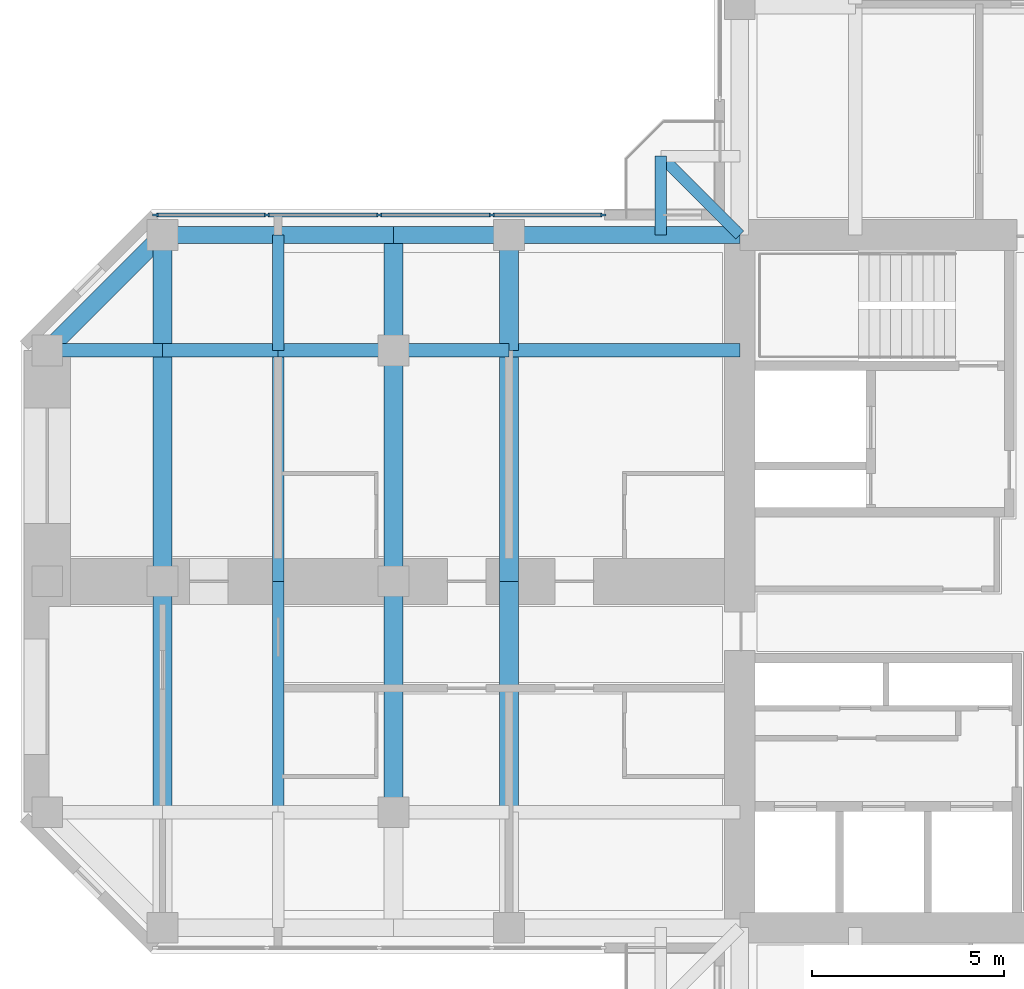
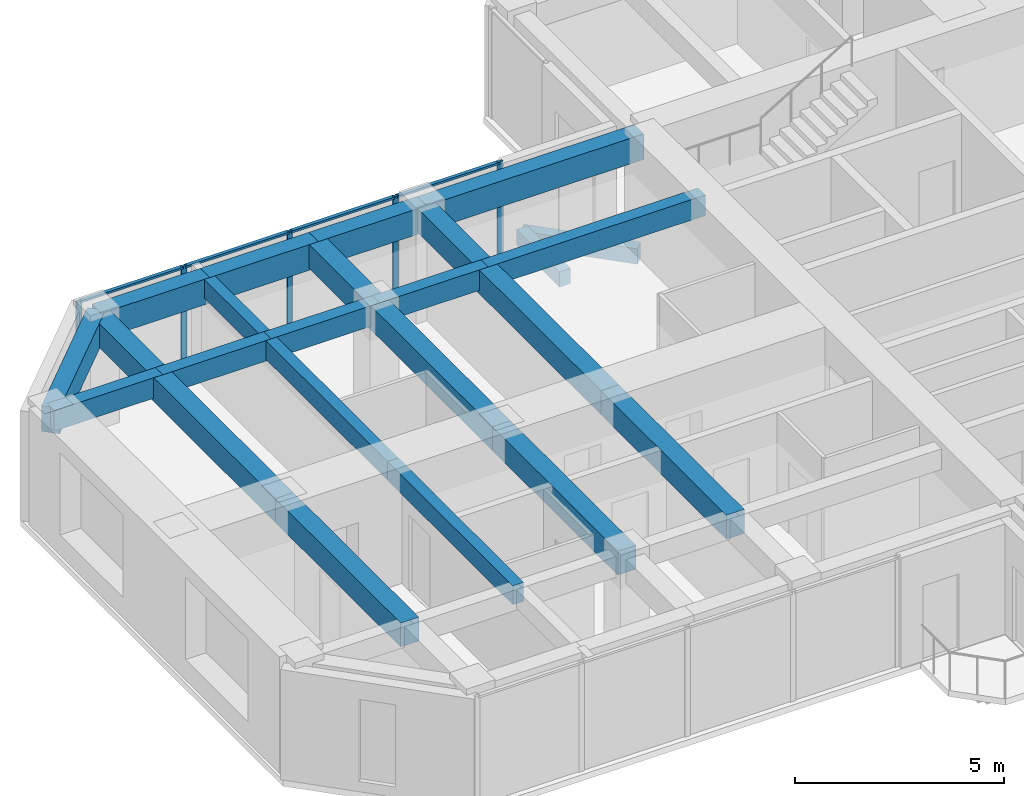
# One storey, part 4 of 14: 24 beams, 9 members, 1 element without a shape of its own.
"""IFC4 building model written with IfcOpenShell, lengths in metres."""

from ifc_helpers import new_model, si_unit, direction, frame, origin, origin_2d, place, context, subcontext, project, spatial, rectangle, extrude, material, material_profile, profile_set, type_object, element, aggregate, save


model = new_model("IFC4")

# Units and contexts
model_context = context("Model", 3, precision=1e-05, world=origin(), true_north=direction((0.0, 1.0)))
body_context = subcontext(model_context, "Body", "Model", "MODEL_VIEW")
ifc_project = project(units=[si_unit("LENGTHUNIT", "METRE"), si_unit("AREAUNIT", "SQUARE_METRE"), si_unit("VOLUMEUNIT", "CUBIC_METRE"), si_unit("PLANEANGLEUNIT", "RADIAN"), si_unit("MASSUNIT", "GRAM", prefix="KILO")], contexts=[model_context])

# Site, building, storey
site_placement = place(None, origin())
site = spatial("IfcSite", under=ifc_project, at=site_placement, CompositionType="ELEMENT")
building_placement = place(site_placement, origin())
building = spatial("IfcBuilding", under=site, at=building_placement, Name="Torre Cruceta", CompositionType="ELEMENT")
storey_placement = place(building_placement, frame((0.0, 0.0, 222.10009765625)))
storey = spatial("IfcBuildingStorey", under=building, at=storey_placement, Name="L56", CompositionType="ELEMENT", Elevation=222.10009765625)

# Beams
ifc_material_1 = material(Name="Concrete G60 (fck 60 MPa)", Category="concrete")
ifc_material_profile_1 = material_profile(ifc_material_1, rectangle(XDim=0.300048828125, YDim=0.449951171875, at=origin_2d()), Name="RC 300X450")
ifc_profile_set_1 = profile_set([ifc_material_profile_1], Name="Concrete G60 (fck 60 MPa)")
beam_type_1 = type_object("IfcBeamType", Name="BALCONY CANTILEVER BEAM RC 300X450", PredefinedType="BEAM", material=ifc_profile_set_1)
beam_1_placement = place(storey_placement, frame((-9.0, 9.0, -0.405029296875), z_axis=(-0.707106781187, 0.707106781187, 0.0), x_axis=(-0.707106781187, -0.707106781187, 0.0)))
element("IfcBeam", 1, at=beam_1_placement, inside=storey, type_object=beam_type_1, Name="BB1 balcony beam L56 N", PredefinedType="BEAM", context=body_context, shape_type="SweptSolid", body=[
    extrude(rectangle(XDim=0.300048828125, YDim=0.449951171875, at=origin_2d()), origin(), (0.0, 0.0, 1.0), 2.89990234375),
])
beam_2_placement = place(storey_placement, frame((-11.050537109375, 9.0, -0.405029296875), z_axis=(0.0, 1.0, 0.0), x_axis=(-1.0, 0.0, 0.0)))
element("IfcBeam", 2, at=beam_2_placement, inside=storey, type_object=beam_type_1, Name="BB1 balcony edge beam L56 N-X", PredefinedType="BEAM", context=body_context, shape_type="SweptSolid", body=[
    extrude(rectangle(XDim=0.300048828125, YDim=0.449951171875, at=origin_2d()), origin(), (0.0, 0.0, 1.0), 2.050537109375),
])
ifc_material_2 = material(Name="Concrete G60 (fck 60 MPa)", Category="concrete")
ifc_material_profile_2 = material_profile(ifc_material_2, rectangle(XDim=0.35009765625, YDim=0.60009765625, at=origin_2d()), Name="RC 350X600")
ifc_profile_set_2 = profile_set([ifc_material_profile_2], Name="Concrete G60 (fck 60 MPa)")
beam_type_2 = type_object("IfcBeamType", Name="COLUMN LINE BEAM RC 350X600", PredefinedType="BEAM", material=ifc_profile_set_2)
beam_3_placement = place(storey_placement, frame((-9.0, 6.0, 2.919921875), z_axis=(-1.0, 0.0, 0.0), x_axis=(0.0, -1.0, 0.0)))
element("IfcBeam", 3, at=beam_3_placement, inside=storey, type_object=beam_type_2, Name="LB9 L56 W col- 1", PredefinedType="BEAM", context=body_context, shape_type="SweptSolid", body=[
    extrude(rectangle(XDim=0.35009765625, YDim=0.60009765625, at=origin_2d()), origin(), (0.0, 0.0, 1.0), 6.0),
])
for number, where, z_axis, x_axis, name in (
    (4, (-15.0, 6.0, 2.919921875), (-1.0, 0.0, 0.0), (0.0, -1.0, 0.0), "LB9 L56 W col- 2"),
    (5, (-18.0, 6.0, 2.919921875), (-1.0, 0.0, 0.0), (0.0, -1.0, 0.0), "LB9 L56 W col- 3"),
    (6, (-21.0, 6.0, 2.919921875), (-1.0, 0.0, 0.0), (0.0, -1.0, 0.0), "LB9 L56 W col- 4"),
    (7, (-24.0, 6.0, 2.919921875), (-1.0, 0.0, 0.0), (0.0, -1.0, 0.0), "LB9 L56 W col- 5"),
):
    element("IfcBeam", number, at=place(storey_placement, frame(where, z_axis=z_axis, x_axis=x_axis)), inside=storey, type_object=beam_type_2, Name=name, PredefinedType="BEAM", context=body_context, shape_type="SweptSolid", body=[
        extrude(rectangle(XDim=0.35009765625, YDim=0.60009765625, at=origin_2d()), origin(), (0.0, 0.0, 1.0), 3.0),
    ])
ifc_material_3 = material(Name="Concrete G60 (fck 60 MPa)", Category="concrete")
ifc_material_profile_3 = material_profile(ifc_material_3, rectangle(XDim=0.5, YDim=0.699951171875, at=origin_2d()), Name="RC 500X700")
ifc_profile_set_3 = profile_set([ifc_material_profile_3], Name="Concrete G60 (fck 60 MPa)")
beam_type_3 = type_object("IfcBeamType", Name="CROSS BEAM RC 500X700", PredefinedType="BEAM", material=ifc_profile_set_3)
beam_4_placement = place(storey_placement, frame((-15.0, 9.0, 2.869873046875), z_axis=(0.0, -1.0, 0.0), x_axis=(1.0, 0.0, 0.0)))
element("IfcBeam", 8, at=beam_4_placement, inside=storey, type_object=beam_type_3, Name="GB7 L56 W cross15 1", PredefinedType="BEAM", context=body_context, shape_type="SweptSolid", body=[
    extrude(rectangle(XDim=0.5, YDim=0.699951171875, at=origin_2d()), origin(), (0.0, 0.0, 1.0), 3.0),
])
for number, where, z_axis, x_axis, name in (
    (9, (-15.0, 6.0, 2.869873046875), (0.0, -1.0, 0.0), (1.0, 0.0, 0.0), "GB7 L56 W cross15 2"),
    (10, (-15.0, 0.0, 2.869873046875), (0.0, -1.0, 0.0), (1.0, 0.0, 0.0), "GB7 L56 W cross15 3"),
):
    element("IfcBeam", number, at=place(storey_placement, frame(where, z_axis=z_axis, x_axis=x_axis)), inside=storey, type_object=beam_type_3, Name=name, PredefinedType="BEAM", context=body_context, shape_type="SweptSolid", body=[
        extrude(rectangle(XDim=0.5, YDim=0.699951171875, at=origin_2d()), origin(), (0.0, 0.0, 1.0), 6.0),
    ])
beam_5_placement = place(storey_placement, frame((-18.0, 9.0, 2.869873046875), z_axis=(0.0, -1.0, 0.0), x_axis=(1.0, 0.0, 0.0)))
element("IfcBeam", 11, at=beam_5_placement, inside=storey, type_object=beam_type_3, Name="GB7 L56 W cross18 1", PredefinedType="BEAM", context=body_context, shape_type="SweptSolid", body=[
    extrude(rectangle(XDim=0.5, YDim=0.699951171875, at=origin_2d()), origin(), (0.0, 0.0, 1.0), 3.0),
])
for number, where, z_axis, x_axis, name in (
    (12, (-18.0, 6.0, 2.869873046875), (0.0, -1.0, 0.0), (1.0, 0.0, 0.0), "GB7 L56 W cross18 2"),
    (13, (-18.0, 0.0, 2.869873046875), (0.0, -1.0, 0.0), (1.0, 0.0, 0.0), "GB7 L56 W cross18 3"),
):
    element("IfcBeam", number, at=place(storey_placement, frame(where, z_axis=z_axis, x_axis=x_axis)), inside=storey, type_object=beam_type_3, Name=name, PredefinedType="BEAM", context=body_context, shape_type="SweptSolid", body=[
        extrude(rectangle(XDim=0.5, YDim=0.699951171875, at=origin_2d()), origin(), (0.0, 0.0, 1.0), 6.0),
    ])
beam_6_placement = place(storey_placement, frame((-24.0, 9.0, 2.869873046875), z_axis=(0.0, -1.0, 0.0), x_axis=(1.0, 0.0, 0.0)))
element("IfcBeam", 14, at=beam_6_placement, inside=storey, type_object=beam_type_3, Name="GB7 L56 W cross24 1", PredefinedType="BEAM", context=body_context, shape_type="SweptSolid", body=[
    extrude(rectangle(XDim=0.5, YDim=0.699951171875, at=origin_2d()), origin(), (0.0, 0.0, 1.0), 3.0),
])
for number, where, z_axis, x_axis, name in (
    (15, (-24.0, 6.0, 2.869873046875), (0.0, -1.0, 0.0), (1.0, 0.0, 0.0), "GB7 L56 W cross24 2"),
    (16, (-24.0, 0.0, 2.869873046875), (0.0, -1.0, 0.0), (1.0, 0.0, 0.0), "GB7 L56 W cross24 3"),
):
    element("IfcBeam", number, at=place(storey_placement, frame(where, z_axis=z_axis, x_axis=x_axis)), inside=storey, type_object=beam_type_3, Name=name, PredefinedType="BEAM", context=body_context, shape_type="SweptSolid", body=[
        extrude(rectangle(XDim=0.5, YDim=0.699951171875, at=origin_2d()), origin(), (0.0, 0.0, 1.0), 6.0),
    ])

# Curtain wall, members
ifc_material_4 = material(Name="Aluminium unitised curtain wall", Category="aluminium")
curtain_wall_type = type_object("IfcCurtainWallType", Name="CURTAIN WALL CW-D CO-LIVING UPPER", PredefinedType="USERDEFINED", material=ifc_material_4)
curtain_wall_placement = place(storey_placement, origin())
curtain_wall = element("IfcCurtainWall", 17, at=curtain_wall_placement, inside=storey, type_object=curtain_wall_type, Name="CW-D L56 W side 10", ObjectType="UNITISED", PredefinedType="USERDEFINED")
ifc_material_5 = material(Name="Aluminium mullion", Category="aluminium")
ifc_material_profile_4 = material_profile(ifc_material_5, rectangle(XDim=0.06005859375, YDim=0.14990234375, at=origin_2d()), Name="AL 60X150")
ifc_profile_set_4 = profile_set([ifc_material_profile_4], Name="Aluminium mullion")
member_type_1 = type_object("IfcMemberType", Name="CW-D MULLION 60X150", PredefinedType="MULLION", material=ifc_profile_set_4)
member_1_placement = place(storey_placement, frame((-12.550048828125, 9.52001953125, 0.0), z_axis=(0.0, 0.0, 1.0), x_axis=(0.0, -1.0, 0.0)))
member_1 = element("IfcMember", 18, at=member_1_placement, type_object=member_type_1, Name="CW-D mullion 1", PredefinedType="MULLION", context=body_context, shape_type="SweptSolid", body=[
    extrude(rectangle(XDim=0.06005859375, YDim=0.14990234375, at=origin_2d()), origin(), (0.0, 0.0, 1.0), 3.219970703125),
])
member_2_placement = place(storey_placement, frame((-15.44384765625, 9.52001953125, 0.0), z_axis=(0.0, 0.0, 1.0), x_axis=(0.0, -1.0, 0.0)))
member_2 = element("IfcMember", 19, at=member_2_placement, type_object=member_type_1, Name="CW-D mullion 2", PredefinedType="MULLION", context=body_context, shape_type="SweptSolid", body=[
    extrude(rectangle(XDim=0.06005859375, YDim=0.14990234375, at=origin_2d()), origin(), (0.0, 0.0, 1.0), 3.219970703125),
])
member_3_placement = place(storey_placement, frame((-18.36767578125, 9.52001953125, 0.0), z_axis=(0.0, 0.0, 1.0), x_axis=(0.0, -1.0, 0.0)))
member_3 = element("IfcMember", 20, at=member_3_placement, type_object=member_type_1, Name="CW-D mullion 3", PredefinedType="MULLION", context=body_context, shape_type="SweptSolid", body=[
    extrude(rectangle(XDim=0.06005859375, YDim=0.14990234375, at=origin_2d()), origin(), (0.0, 0.0, 1.0), 3.219970703125),
])
member_4_placement = place(storey_placement, frame((-21.29150390625, 9.52001953125, 0.0), z_axis=(0.0, 0.0, 1.0), x_axis=(0.0, -1.0, 0.0)))
member_4 = element("IfcMember", 21, at=member_4_placement, type_object=member_type_1, Name="CW-D mullion 4", PredefinedType="MULLION", context=body_context, shape_type="SweptSolid", body=[
    extrude(rectangle(XDim=0.06005859375, YDim=0.14990234375, at=origin_2d()), origin(), (0.0, 0.0, 1.0), 3.219970703125),
])
member_5_placement = place(storey_placement, frame((-24.185302734375, 9.52001953125, 0.0), z_axis=(0.0, 0.0, 1.0), x_axis=(0.0, -1.0, 0.0)))
member_5 = element("IfcMember", 22, at=member_5_placement, type_object=member_type_1, Name="CW-D mullion 5", PredefinedType="MULLION", context=body_context, shape_type="SweptSolid", body=[
    extrude(rectangle(XDim=0.06005859375, YDim=0.14990234375, at=origin_2d()), origin(), (0.0, 0.0, 1.0), 3.219970703125),
])
ifc_material_6 = material(Name="Aluminium transom", Category="aluminium")
ifc_material_profile_5 = material_profile(ifc_material_6, rectangle(XDim=0.10009765625, YDim=0.06005859375, at=origin_2d()), Name="AL 100X60")
ifc_profile_set_5 = profile_set([ifc_material_profile_5], Name="Aluminium transom")
member_type_2 = type_object("IfcMemberType", Name="CW-D TRANSOM 60X100", PredefinedType="USERDEFINED", material=ifc_profile_set_5)
member_6_placement = place(storey_placement, frame((-12.580078125, 9.52001953125, 3.18994140625), z_axis=(-1.0, 0.0, 0.0), x_axis=(0.0, -1.0, 0.0)))
member_6 = element("IfcMember", 23, at=member_6_placement, type_object=member_type_2, Name="CW-D transom 1", ObjectType="TRANSOM", PredefinedType="USERDEFINED", context=body_context, shape_type="SweptSolid", body=[
    extrude(rectangle(XDim=0.10009765625, YDim=0.06005859375, at=origin_2d()), origin(), (0.0, 0.0, 1.0), 2.833740234375),
])
member_7_placement = place(storey_placement, frame((-15.473876953125, 9.52001953125, 3.18994140625), z_axis=(-1.0, 0.0, 0.0), x_axis=(0.0, -1.0, 0.0)))
member_7 = element("IfcMember", 24, at=member_7_placement, type_object=member_type_2, Name="CW-D transom 2", ObjectType="TRANSOM", PredefinedType="USERDEFINED", context=body_context, shape_type="SweptSolid", body=[
    extrude(rectangle(XDim=0.10009765625, YDim=0.06005859375, at=origin_2d()), origin(), (0.0, 0.0, 1.0), 2.86376953125),
])
member_8_placement = place(storey_placement, frame((-18.397705078125, 9.52001953125, 3.18994140625), z_axis=(-1.0, 0.0, 0.0), x_axis=(0.0, -1.0, 0.0)))
member_8 = element("IfcMember", 25, at=member_8_placement, type_object=member_type_2, Name="CW-D transom 3", ObjectType="TRANSOM", PredefinedType="USERDEFINED", context=body_context, shape_type="SweptSolid", body=[
    extrude(rectangle(XDim=0.10009765625, YDim=0.06005859375, at=origin_2d()), origin(), (0.0, 0.0, 1.0), 2.86376953125),
])
member_9_placement = place(storey_placement, frame((-21.321533203125, 9.52001953125, 3.18994140625), z_axis=(-1.0, 0.0, 0.0), x_axis=(0.0, -1.0, 0.0)))
member_9 = element("IfcMember", 26, at=member_9_placement, type_object=member_type_2, Name="CW-D transom 4", ObjectType="TRANSOM", PredefinedType="USERDEFINED", context=body_context, shape_type="SweptSolid", body=[
    extrude(rectangle(XDim=0.10009765625, YDim=0.06005859375, at=origin_2d()), origin(), (0.0, 0.0, 1.0), 2.833740234375),
])
aggregate(curtain_wall, [member_1, member_2, member_3, member_4, member_5, member_6, member_7, member_8, member_9])

# Beams
ifc_material_7 = material(Name="Concrete G60 (fck 60 MPa)", Category="concrete")
ifc_material_profile_6 = material_profile(ifc_material_7, rectangle(XDim=0.300048828125, YDim=0.550048828125, at=origin_2d()), Name="RC 300X550")
ifc_profile_set_6 = profile_set([ifc_material_profile_6], Name="Concrete G60 (fck 60 MPa)")
beam_type_4 = type_object("IfcBeamType", Name="SECONDARY BEAM RC 300X550", PredefinedType="JOIST", material=ifc_profile_set_6)
beam_7_placement = place(storey_placement, frame((-21.0, 9.0, 2.94482421875), z_axis=(0.0, -1.0, 0.0), x_axis=(1.0, 0.0, 0.0)))
element("IfcBeam", 27, at=beam_7_placement, inside=storey, type_object=beam_type_4, Name="JB7 L56 W sec21 1", PredefinedType="JOIST", context=body_context, shape_type="SweptSolid", body=[
    extrude(rectangle(XDim=0.300048828125, YDim=0.550048828125, at=origin_2d()), origin(), (0.0, 0.0, 1.0), 3.0),
])
for number, where, z_axis, x_axis, name in (
    (28, (-21.0, 6.0, 2.94482421875), (0.0, -1.0, 0.0), (1.0, 0.0, 0.0), "JB7 L56 W sec21 2"),
    (29, (-21.0, 0.0, 2.94482421875), (0.0, -1.0, 0.0), (1.0, 0.0, 0.0), "JB7 L56 W sec21 3"),
):
    element("IfcBeam", number, at=place(storey_placement, frame(where, z_axis=z_axis, x_axis=x_axis)), inside=storey, type_object=beam_type_4, Name=name, PredefinedType="JOIST", context=body_context, shape_type="SweptSolid", body=[
        extrude(rectangle(XDim=0.300048828125, YDim=0.550048828125, at=origin_2d()), origin(), (0.0, 0.0, 1.0), 6.0),
    ])
ifc_material_8 = material(Name="Concrete G60 (fck 60 MPa)", Category="concrete")
ifc_material_profile_7 = material_profile(ifc_material_8, rectangle(XDim=0.449951171875, YDim=0.75, at=origin_2d()), Name="RC 450X750")
ifc_profile_set_7 = profile_set([ifc_material_profile_7], Name="Concrete G60 (fck 60 MPa)")
beam_type_5 = type_object("IfcBeamType", Name="SPANDREL BEAM RC 450X750", PredefinedType="SPANDREL", material=ifc_profile_set_7)
beam_8_placement = place(storey_placement, frame((-9.0, 9.0, 2.844970703125), z_axis=(-1.0, 0.0, 0.0), x_axis=(0.0, -1.0, 0.0)))
element("IfcBeam", 30, at=beam_8_placement, inside=storey, type_object=beam_type_5, Name="SB7 L56 W side- 1", PredefinedType="SPANDREL", context=body_context, shape_type="SweptSolid", body=[
    extrude(rectangle(XDim=0.449951171875, YDim=0.75, at=origin_2d()), origin(), (0.0, 0.0, 1.0), 6.0),
])
for number, where, z_axis, x_axis, name in (
    (31, (-15.0, 9.0, 2.844970703125), (-1.0, 0.0, 0.0), (0.0, -1.0, 0.0), "SB7 L56 W side- 2"),
    (32, (-18.0, 9.0, 2.844970703125), (-1.0, 0.0, 0.0), (0.0, -1.0, 0.0), "SB7 L56 W side- 3"),
    (33, (-21.0, 9.0, 2.844970703125), (-1.0, 0.0, 0.0), (0.0, -1.0, 0.0), "SB7 L56 W side- 4"),
):
    element("IfcBeam", number, at=place(storey_placement, frame(where, z_axis=z_axis, x_axis=x_axis)), inside=storey, type_object=beam_type_5, Name=name, PredefinedType="SPANDREL", context=body_context, shape_type="SweptSolid", body=[
        extrude(rectangle(XDim=0.449951171875, YDim=0.75, at=origin_2d()), origin(), (0.0, 0.0, 1.0), 3.0),
    ])
beam_9_placement = place(storey_placement, frame((-24.0, 9.0, 2.844970703125), z_axis=(-0.707106781187, -0.707106781187, 0.0), x_axis=(0.707106781187, -0.707106781187, 0.0)))
element("IfcBeam", 34, at=beam_9_placement, inside=storey, type_object=beam_type_5, Name="SB7 L56 W side- 5", PredefinedType="SPANDREL", context=body_context, shape_type="SweptSolid", body=[
    extrude(rectangle(XDim=0.449951171875, YDim=0.75, at=origin_2d()), origin(), (0.0, 0.0, 1.0), 4.24267578125),
])

save(model, "model.ifc")
